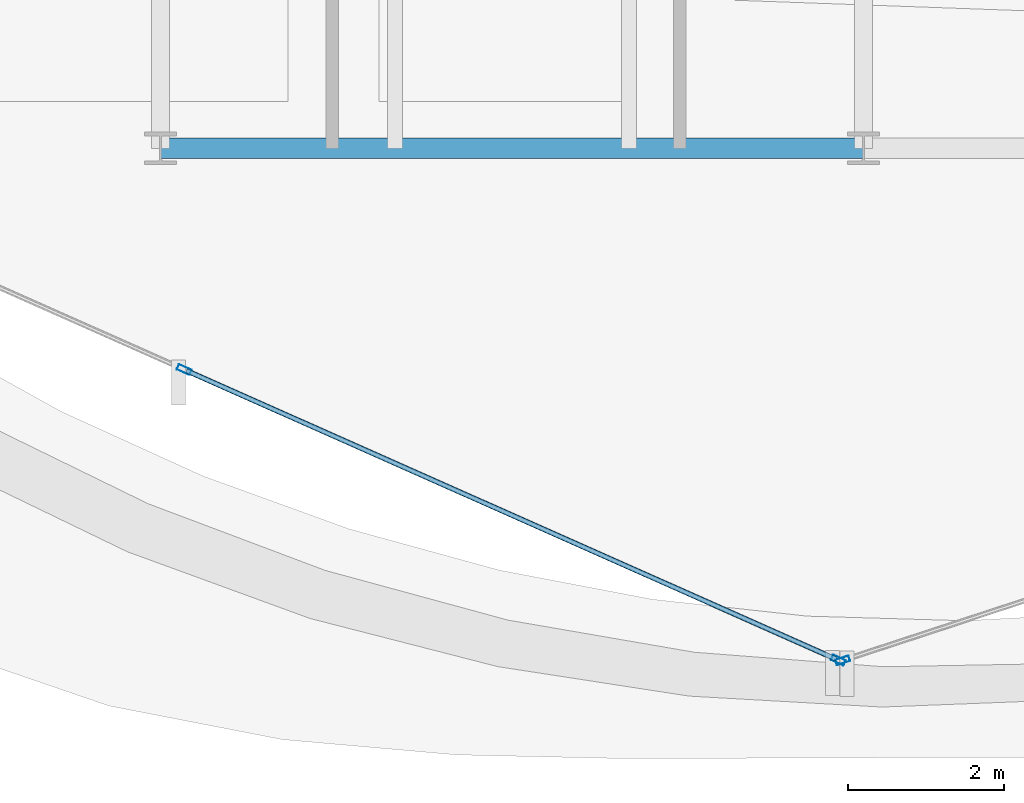
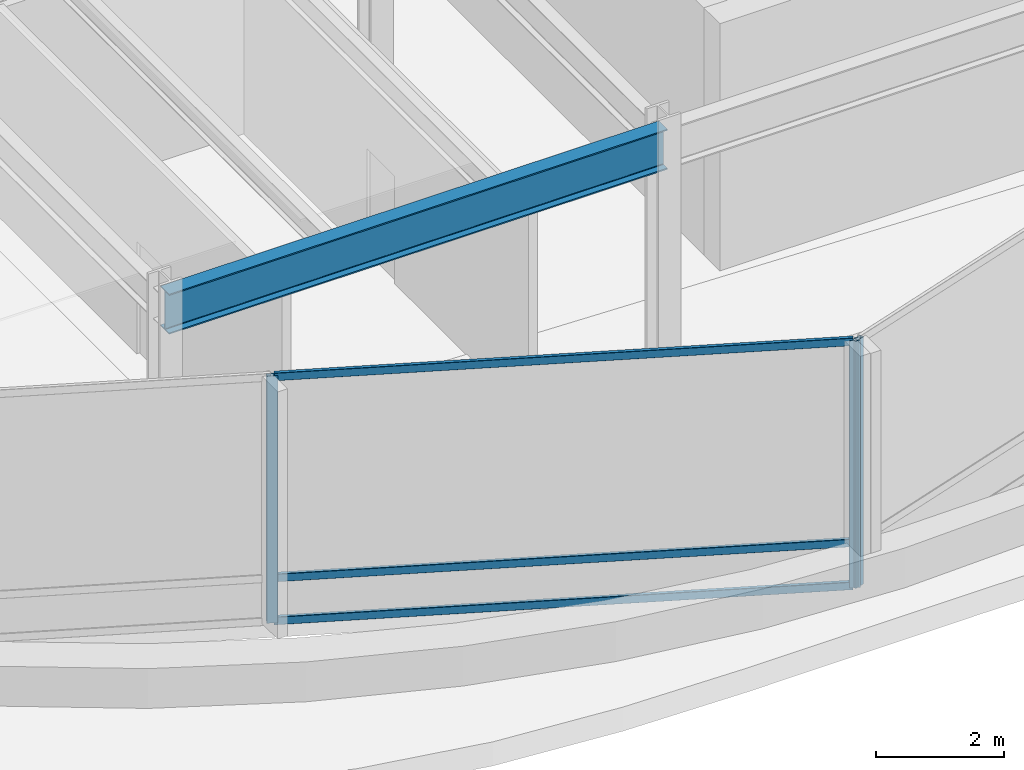
# One storey, part 3 of 29: 6 members, 1 beam, 2 elements without a shape of their own.
"""IFC4 building model written with IfcOpenShell, lengths in metres."""

from ifc_helpers import new_model, si_unit, direction, frame, origin, origin_2d, place, context, subcontext, project, spatial, hollow_rectangle, i_section, extrude, material, layer, layer_set, material_profile, profile_set, type_object, element, aggregate, save


model = new_model("IFC4")

# Units and contexts
model_context = context("Model", 3, precision=1e-05, world=origin(), true_north=direction((0.0, 1.0)))
body_context = subcontext(model_context, "Body", "Model", "MODEL_VIEW")
ifc_project = project(units=[si_unit("LENGTHUNIT", "METRE"), si_unit("AREAUNIT", "SQUARE_METRE"), si_unit("VOLUMEUNIT", "CUBIC_METRE"), si_unit("PLANEANGLEUNIT", "RADIAN"), si_unit("MASSUNIT", "GRAM", prefix="KILO")], contexts=[model_context])

# Site, building, storey
site_placement = place(None, origin())
site = spatial("IfcSite", under=ifc_project, at=site_placement, CompositionType="ELEMENT")
building_placement = place(site_placement, origin())
building = spatial("IfcBuilding", under=site, at=building_placement, Name="Solvaryn Broadcast Tower", CompositionType="ELEMENT")
storey_placement = place(building_placement, frame((0.0, 0.0, 169.199951171875)))
storey = spatial("IfcBuildingStorey", under=building, at=storey_placement, Name="L42", CompositionType="ELEMENT", Elevation=169.199951171875)

# Beam
ifc_material_1 = material(Name="Steel ASTM A992 Grade 50", Category="steel")
ifc_material_profile_1 = material_profile(ifc_material_1, i_section(OverallWidth=0.26708984375, OverallDepth=0.76611328125, WebThickness=0.014892578125, FlangeThickness=0.023681640625, FilletRadius=0.01806640625, at=origin_2d()))
ifc_profile_set_1 = profile_set([ifc_material_profile_1], Name="Steel ASTM A992 Grade 50")
beam_type = type_object("IfcBeamType", Name="BM-SP2-W30X124", PredefinedType="USERDEFINED", material=ifc_profile_set_1)
beam_placement = place(storey_placement, frame((18.0, 9.0, 4.337158203125), z_axis=(1.0, 0.0, 0.0), x_axis=(0.0, 1.0, 0.0)))
element("IfcBeam", 1, at=beam_placement, inside=storey, type_object=beam_type, Name="L42 Spandrel Beam X (18-27 @ Y=9)", ObjectType="SPANDREL", PredefinedType="USERDEFINED", context=body_context, shape_type="SweptSolid", body=[
    extrude(i_section(OverallWidth=0.26708984375, OverallDepth=0.76611328125, WebThickness=0.014892578125, FlangeThickness=0.023681640625, FilletRadius=0.01806640625, at=origin_2d()), origin(), (0.0, 0.0, 1.0), 9.0),
])

# Curtain wall, members
ifc_material_2 = material(Name="Aluminium and Terracotta Unitised Curtain Wall", Category="masonry")
ifc_layer = layer(ifc_material_2, 0.25)
ifc_layer_set = layer_set([ifc_layer], Name="CW-SYS4-SKYGARDEN")
curtain_wall_type = type_object("IfcCurtainWallType", Name="CW-SYS4-SKYGARDEN", PredefinedType="NOTDEFINED", material=ifc_layer_set)
curtain_wall_1_placement = place(storey_placement, origin())
curtain_wall_1 = element("IfcCurtainWall", 2, at=curtain_wall_1_placement, inside=storey, type_object=curtain_wall_type, Name="L42 Curtain Wall DR3", PredefinedType="NOTDEFINED")
ifc_material_3 = material(Name="Anodised Aluminium 6063-T6", Category="aluminium")
ifc_material_profile_2 = material_profile(ifc_material_3, hollow_rectangle(XDim=0.074951171875, YDim=0.179931640625, WallThickness=0.00390625, InnerFilletRadius=0.00390625, OuterFilletRadius=0.008056640625, at=origin_2d()))
ifc_profile_set_2 = profile_set([ifc_material_profile_2], Name="Anodised Aluminium 6063-T6")
member_type_1 = type_object("IfcMemberType", Name="CW-MUL-180", PredefinedType="MULLION", material=ifc_profile_set_2)
member_1_placement = place(storey_placement, frame((18.302001953125, 6.16552734375, 0.0), z_axis=(0.0, 0.0, 1.0), x_axis=(0.405901337237, 0.913916902365, 0.0)))
member_1 = element("IfcMember", 3, at=member_1_placement, type_object=member_type_1, Name="CWS4 mullion 2", PredefinedType="MULLION", context=body_context, shape_type="SweptSolid", body=[
    extrude(hollow_rectangle(XDim=0.074951171875, YDim=0.179931640625, WallThickness=0.00390625, InnerFilletRadius=0.00390625, OuterFilletRadius=0.008056640625, at=origin_2d()), origin(), (0.0, 0.0, 1.0), 4.719970703125),
])
member_2_placement = place(storey_placement, frame((26.678466796875, 2.445068359375, 0.0), z_axis=(0.0, 0.0, 1.0), x_axis=(0.405901337237, 0.913916902365, 0.0)))
member_2 = element("IfcMember", 4, at=member_2_placement, type_object=member_type_1, Name="CWS4 mullion 3", PredefinedType="MULLION", context=body_context, shape_type="SweptSolid", body=[
    extrude(hollow_rectangle(XDim=0.074951171875, YDim=0.179931640625, WallThickness=0.00390625, InnerFilletRadius=0.00390625, OuterFilletRadius=0.008056640625, at=origin_2d()), origin(), (0.0, 0.0, 1.0), 4.719970703125),
])

# Curtain wall, member
curtain_wall_2_placement = place(storey_placement, origin())
curtain_wall_2 = element("IfcCurtainWall", 5, at=curtain_wall_2_placement, inside=storey, type_object=curtain_wall_type, Name="L42 Curtain Wall DR4", PredefinedType="NOTDEFINED")
member_3_placement = place(storey_placement, frame((26.734619140625, 2.4423828125, 0.0), z_axis=(0.0, 0.0, 1.0), x_axis=(-0.311558717623, 0.950226902099, 0.0)))
member_3 = element("IfcMember", 6, at=member_3_placement, type_object=member_type_1, Name="CWS4 mullion 1", PredefinedType="MULLION", context=body_context, shape_type="SweptSolid", body=[
    extrude(hollow_rectangle(XDim=0.074951171875, YDim=0.179931640625, WallThickness=0.00390625, InnerFilletRadius=0.00390625, OuterFilletRadius=0.008056640625, at=origin_2d()), origin(), (0.0, 0.0, 1.0), 4.719970703125),
])
aggregate(curtain_wall_2, [member_3])

# Member
ifc_material_4 = material(Name="Anodised Aluminium 6063-T6", Category="aluminium")
ifc_material_profile_3 = material_profile(ifc_material_4, hollow_rectangle(XDim=0.06494140625, YDim=0.14990234375, WallThickness=0.00390625, InnerFilletRadius=0.00390625, OuterFilletRadius=0.008056640625, at=origin_2d()))
ifc_profile_set_3 = profile_set([ifc_material_profile_3], Name="Anodised Aluminium 6063-T6")
member_type_2 = type_object("IfcMemberType", Name="CW-TRN-150", PredefinedType="USERDEFINED", material=ifc_profile_set_3)
member_4_placement = place(storey_placement, frame((18.329345703125, 6.1533203125, 0.030029296875), z_axis=(0.913914344793, -0.405907095752, 0.0), x_axis=(0.405907095752, 0.913914344793, 0.0)))
member_4 = element("IfcMember", 7, at=member_4_placement, type_object=member_type_2, Name="CWS4 transom 2.1", ObjectType="TRANSOM", PredefinedType="USERDEFINED", context=body_context, shape_type="SweptSolid", body=[
    extrude(hollow_rectangle(XDim=0.06494140625, YDim=0.14990234375, WallThickness=0.00390625, InnerFilletRadius=0.00390625, OuterFilletRadius=0.008056640625, at=origin_2d()), origin(), (0.0, 0.0, 1.0), 9.105712890625),
])

member_5_placement = place(storey_placement, frame((18.329345703125, 6.1533203125, 0.85009765625), z_axis=(0.913914344793, -0.405907095752, 0.0), x_axis=(0.405907095752, 0.913914344793, 0.0)))
member_5 = element("IfcMember", 8, at=member_5_placement, type_object=member_type_2, Name="CWS4 transom 2.2", ObjectType="TRANSOM", PredefinedType="USERDEFINED", context=body_context, shape_type="SweptSolid", body=[
    extrude(hollow_rectangle(XDim=0.06494140625, YDim=0.14990234375, WallThickness=0.00390625, InnerFilletRadius=0.00390625, OuterFilletRadius=0.008056640625, at=origin_2d()), origin(), (0.0, 0.0, 1.0), 9.105712890625),
])

member_6_placement = place(storey_placement, frame((18.329345703125, 6.1533203125, 4.68994140625), z_axis=(0.913914344793, -0.405907095752, 0.0), x_axis=(0.405907095752, 0.913914344793, 0.0)))
member_6 = element("IfcMember", 9, at=member_6_placement, type_object=member_type_2, Name="CWS4 transom 2.3", ObjectType="TRANSOM", PredefinedType="USERDEFINED", context=body_context, shape_type="SweptSolid", body=[
    extrude(hollow_rectangle(XDim=0.06494140625, YDim=0.14990234375, WallThickness=0.00390625, InnerFilletRadius=0.00390625, OuterFilletRadius=0.008056640625, at=origin_2d()), origin(), (0.0, 0.0, 1.0), 9.105712890625),
])

aggregate(curtain_wall_1, [member_1, member_2, member_4, member_5, member_6])

save(model, "model.ifc")
